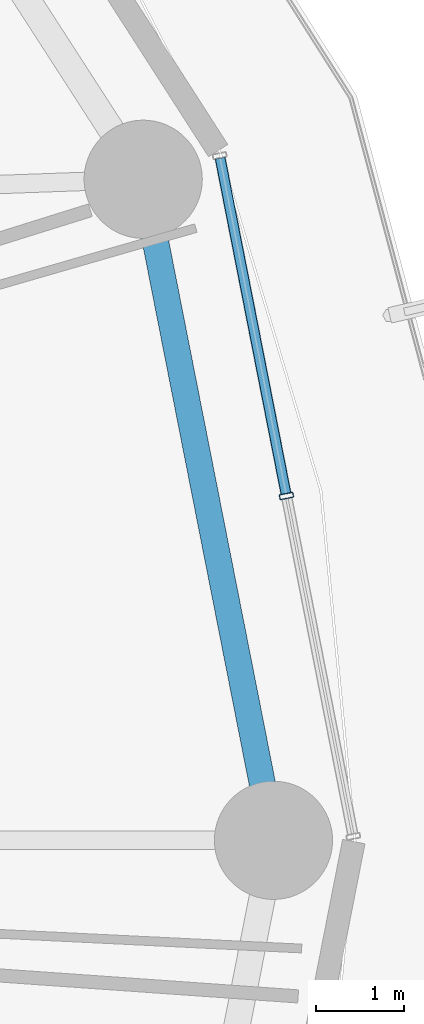
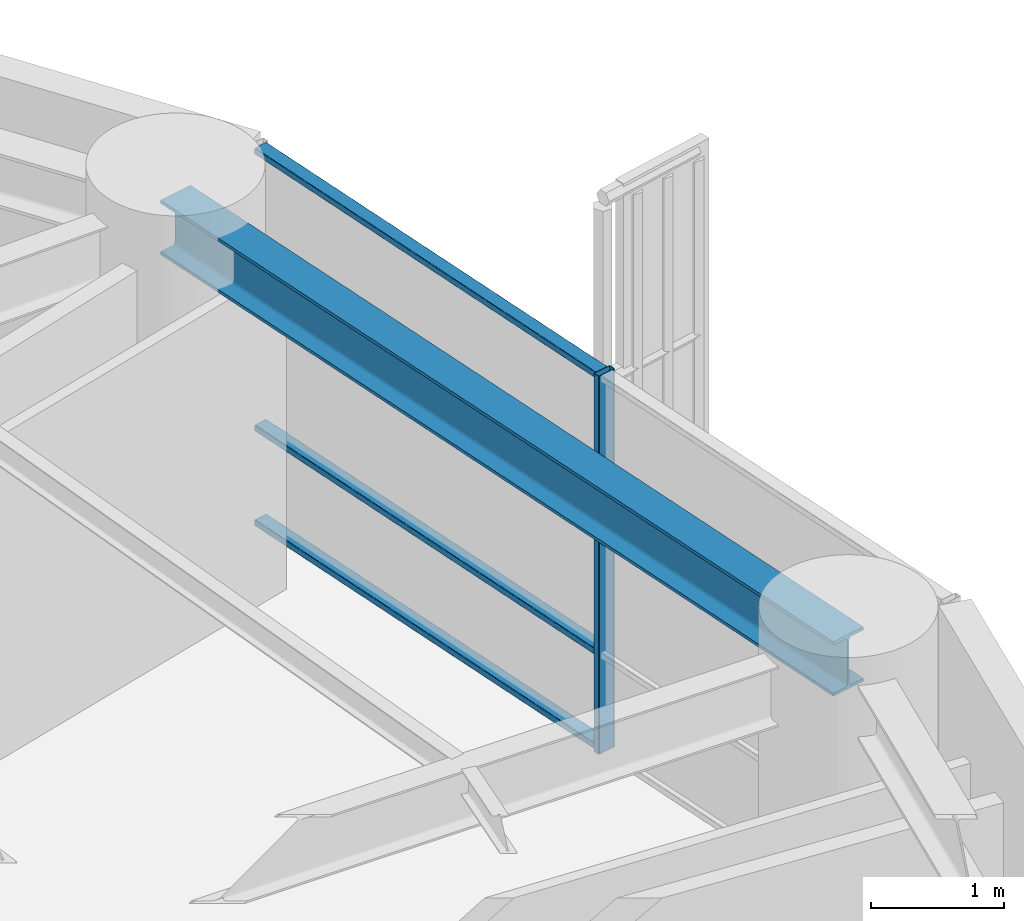
# One storey, part 17 of 37: 4 members, 1 beam, 1 element without a shape of its own.
"""IFC4 building model written with IfcOpenShell, lengths in metres."""

from ifc_helpers import new_model, si_unit, direction, frame, origin, origin_2d, place, context, subcontext, project, spatial, hollow_rectangle, i_section, extrude, material, layer, layer_set, material_profile, profile_set, type_object, element, aggregate, save


model = new_model("IFC4")

# Units and contexts
model_context = context("Model", 3, precision=1e-05, world=origin(), true_north=direction((0.0, 1.0)))
body_context = subcontext(model_context, "Body", "Model", "MODEL_VIEW")
ifc_project = project(units=[si_unit("LENGTHUNIT", "METRE"), si_unit("AREAUNIT", "SQUARE_METRE"), si_unit("VOLUMEUNIT", "CUBIC_METRE"), si_unit("PLANEANGLEUNIT", "RADIAN"), si_unit("MASSUNIT", "GRAM", prefix="KILO")], contexts=[model_context])

# Site, building, storey
site_placement = place(None, origin())
site = spatial("IfcSite", under=ifc_project, at=site_placement, CompositionType="ELEMENT")
building_placement = place(site_placement, origin())
building = spatial("IfcBuilding", under=site, at=building_placement, Name="Kelanora Arch Commons", CompositionType="ELEMENT")
storey_placement = place(building_placement, frame((0.0, 0.0, 110.10009765625)))
storey = spatial("IfcBuildingStorey", under=building, at=storey_placement, Name="L28", CompositionType="ELEMENT", Elevation=110.10009765625)

# Beam
ifc_material_1 = material(Name="Steel S355", Category="steel")
ifc_material_profile_1 = material_profile(ifc_material_1, i_section(OverallWidth=0.300048828125, OverallDepth=0.5, WebThickness=0.014404296875, FlangeThickness=0.028076171875, FilletRadius=0.027099609375, at=origin_2d()), Name="HEB500")
ifc_profile_set_1 = profile_set([ifc_material_profile_1], Name="Steel S355")
beam_type = type_object("IfcBeamType", Name="BM-SPN-Z2", PredefinedType="SPANDREL", material=ifc_profile_set_1)
beam_placement = place(storey_placement, frame((98.679931640625, 58.0, 3.239990234375), z_axis=(-0.19335825777, 0.981128220037, 0.0), x_axis=(-0.981128220037, -0.19335825777, 0.0)))
element("IfcBeam", 1, at=beam_placement, inside=storey, type_object=beam_type, Name="Perimeter Spandrel Beam BS-00 L28", PredefinedType="SPANDREL", context=body_context, shape_type="SweptSolid", body=[
    extrude(i_section(OverallWidth=0.300048828125, OverallDepth=0.5, WebThickness=0.014404296875, FlangeThickness=0.028076171875, FilletRadius=0.027099609375, at=origin_2d()), origin(), (0.0, 0.0, 1.0), 7.697021484375),
])

# Curtain wall, members
ifc_material_2 = material(Name="Terracotta ceramic-fritted low-E glass and aluminium", Category="masonry")
ifc_layer = layer(ifc_material_2, 0.159912109375)
ifc_layer_set = layer_set([ifc_layer], Name="Terracotta ceramic-fritted low-E glass and aluminium")
curtain_wall_type = type_object("IfcCurtainWallType", Name="CW-SYS-01", PredefinedType="NOTDEFINED", material=ifc_layer_set)
curtain_wall_placement = place(storey_placement, origin())
curtain_wall = element("IfcCurtainWall", 2, at=curtain_wall_placement, inside=storey, type_object=curtain_wall_type, Name="Unitised Curtain Wall L28-B00", PredefinedType="NOTDEFINED")
ifc_material_3 = material(Name="Powder-coated aluminium terracotta", Category="masonry")
ifc_material_profile_2 = material_profile(ifc_material_3, hollow_rectangle(XDim=0.159912109375, YDim=0.06005859375, WallThickness=0.0048828125, InnerFilletRadius=0.0048828125, OuterFilletRadius=0.010009765625, at=origin_2d()), Name="CWM160x60")
ifc_profile_set_2 = profile_set([ifc_material_profile_2], Name="Powder-coated aluminium terracotta")
member_type_1 = type_object("IfcMemberType", Name="CWM-STD", PredefinedType="MULLION", material=ifc_profile_set_2)
member_1_placement = place(storey_placement, frame((98.828125, 61.933349609375, 0.0), z_axis=(0.0, 0.0, 1.0), x_axis=(-0.981280311646, -0.192584916272, 0.0)))
member_1 = element("IfcMember", 3, at=member_1_placement, type_object=member_type_1, Name="CW-01 mullion 2", PredefinedType="MULLION", context=body_context, shape_type="SweptSolid", body=[
    extrude(hollow_rectangle(XDim=0.159912109375, YDim=0.06005859375, WallThickness=0.0048828125, InnerFilletRadius=0.0048828125, OuterFilletRadius=0.010009765625, at=origin_2d()), origin(), (0.0, 0.0, 1.0), 3.474853515625),
])
ifc_material_profile_3 = material_profile(ifc_material_3, hollow_rectangle(XDim=0.1201171875, YDim=0.06005859375, WallThickness=0.0048828125, InnerFilletRadius=0.0048828125, OuterFilletRadius=0.010009765625, at=origin_2d()), Name="CWT120x60")
ifc_profile_set_3 = profile_set([ifc_material_profile_3], Name="Powder-coated aluminium terracotta")
member_type_2 = type_object("IfcMemberType", Name="CWT-STD", PredefinedType="USERDEFINED", material=ifc_profile_set_3)
member_2_placement = place(storey_placement, frame((98.822265625, 61.962646484375, 0.02978515625), z_axis=(-0.192578614785, 0.981281548348, 0.0), x_axis=(-0.981281548348, -0.192578614785, 0.0)))
member_2 = element("IfcMember", 4, at=member_2_placement, type_object=member_type_2, Name="CW-01 transom 2.1", ObjectType="TRANSOM", PredefinedType="USERDEFINED", context=body_context, shape_type="SweptSolid", body=[
    extrude(hollow_rectangle(XDim=0.1201171875, YDim=0.06005859375, WallThickness=0.0048828125, InnerFilletRadius=0.0048828125, OuterFilletRadius=0.010009765625, at=origin_2d()), origin(), (0.0, 0.0, 1.0), 3.9033203125),
])
member_3_placement = place(storey_placement, frame((98.822265625, 61.962646484375, 0.89990234375), z_axis=(-0.192578614785, 0.981281548348, 0.0), x_axis=(-0.981281548348, -0.192578614785, 0.0)))
member_3 = element("IfcMember", 5, at=member_3_placement, type_object=member_type_2, Name="CW-01 transom 2.2", ObjectType="TRANSOM", PredefinedType="USERDEFINED", context=body_context, shape_type="SweptSolid", body=[
    extrude(hollow_rectangle(XDim=0.1201171875, YDim=0.06005859375, WallThickness=0.0048828125, InnerFilletRadius=0.0048828125, OuterFilletRadius=0.010009765625, at=origin_2d()), origin(), (0.0, 0.0, 1.0), 3.9033203125),
])
member_4_placement = place(storey_placement, frame((98.822265625, 61.962646484375, 3.44482421875), z_axis=(-0.192578614785, 0.981281548348, 0.0), x_axis=(-0.981281548348, -0.192578614785, 0.0)))
member_4 = element("IfcMember", 6, at=member_4_placement, type_object=member_type_2, Name="CW-01 transom 2.3", ObjectType="TRANSOM", PredefinedType="USERDEFINED", context=body_context, shape_type="SweptSolid", body=[
    extrude(hollow_rectangle(XDim=0.1201171875, YDim=0.06005859375, WallThickness=0.0048828125, InnerFilletRadius=0.0048828125, OuterFilletRadius=0.010009765625, at=origin_2d()), origin(), (0.0, 0.0, 1.0), 3.9033203125),
])
aggregate(curtain_wall, [member_1, member_2, member_3, member_4])

save(model, "model.ifc")
